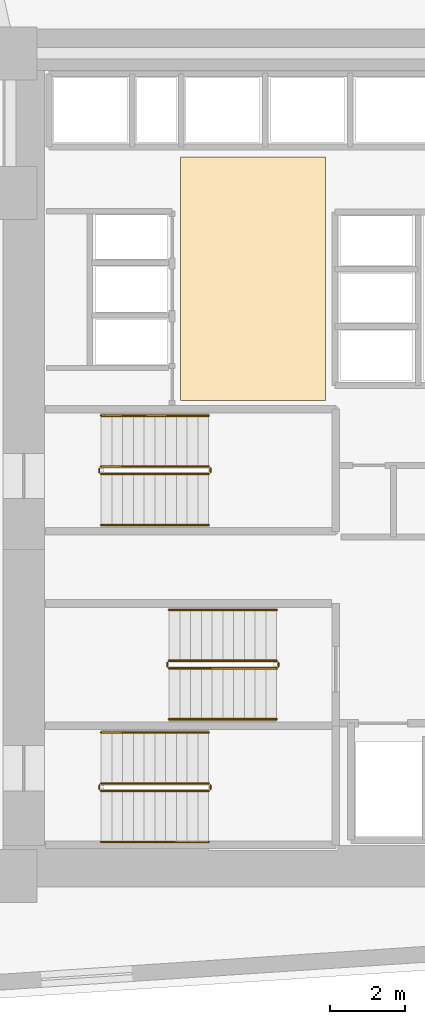
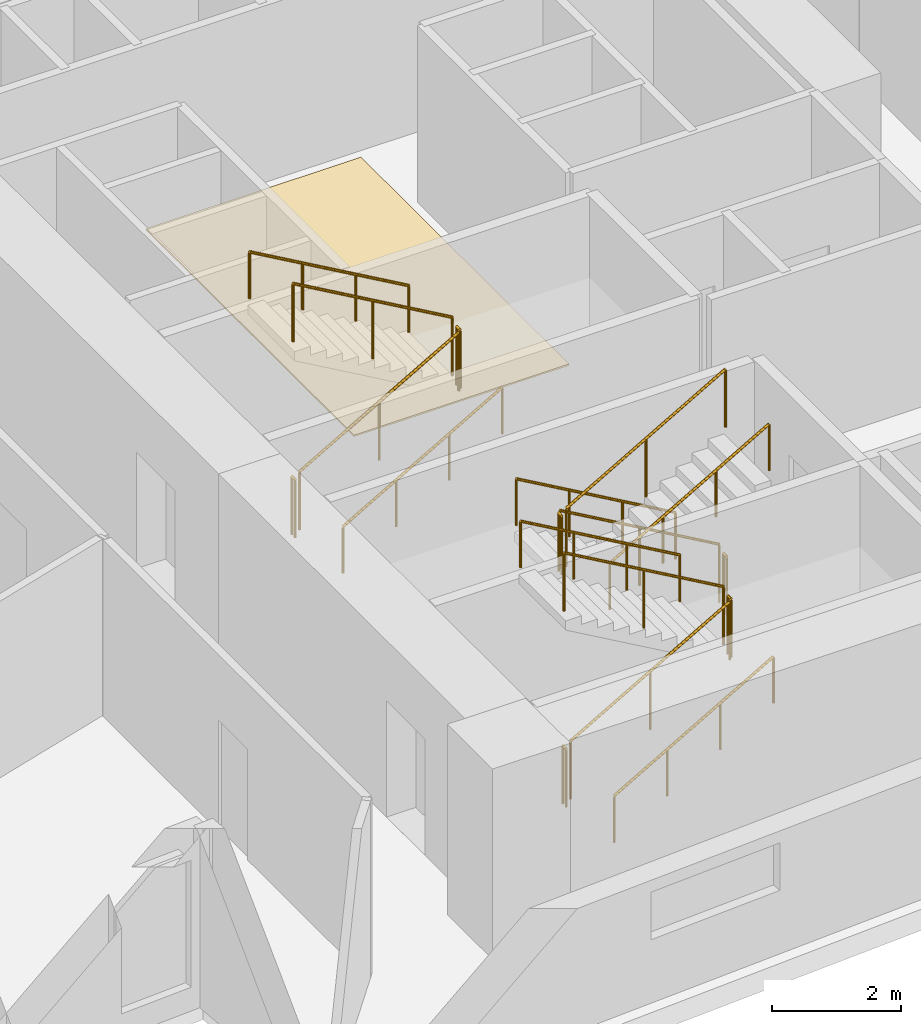
# One storey, part 16 of 17: 18 railings, 1 covering.
"""IFC4 building model written with IfcOpenShell, lengths in metres."""

from ifc_helpers import new_model, si_unit, direction, frame, origin, origin_2d, place, context, subcontext, project, spatial, polyline, circle, outline, extrude, material, layer, layer_set, type_object, element, save


model = new_model("IFC4")

# Units and contexts
model_context = context("Model", 3, precision=1e-05, world=origin(), true_north=direction((0.0, 1.0)))
body_context = subcontext(model_context, "Body", "Model", "MODEL_VIEW")
ifc_project = project(units=[si_unit("LENGTHUNIT", "METRE"), si_unit("AREAUNIT", "SQUARE_METRE"), si_unit("VOLUMEUNIT", "CUBIC_METRE"), si_unit("PLANEANGLEUNIT", "RADIAN"), si_unit("MASSUNIT", "GRAM", prefix="KILO")], contexts=[model_context])

# Site, building, storey
site_placement = place(None, origin())
site = spatial("IfcSite", under=ifc_project, at=site_placement, CompositionType="ELEMENT")
building_placement = place(site_placement, origin())
building = spatial("IfcBuilding", under=site, at=building_placement, Name="Narakoshi Arena Tower", CompositionType="ELEMENT")
storey_placement = place(building_placement, frame((0.0, 0.0, 63.300048828125)))
storey = spatial("IfcBuildingStorey", under=building, at=storey_placement, Name="L16", CompositionType="ELEMENT", Elevation=63.300048828125)

# Covering
ifc_material_1 = material(Name="Honed granite stone paving", Category="masonry")
ifc_layer = layer(ifc_material_1, 0.030029296875)
ifc_layer_set = layer_set([ifc_layer], Name="Honed granite stone paving")
covering_type = type_object("IfcCoveringType", Name="COV-FLR-ST30", PredefinedType="FLOORING", material=ifc_layer_set)
covering_placement = place(storey_placement, origin())
element("IfcCovering", 1, at=covering_placement, inside=storey, type_object=covering_type, Name="L16 Lift Lobby Granite Flooring", PredefinedType="FLOORING", context=body_context, shape_type="SweptSolid", body=[
    extrude(outline(polyline([(76.5, 47.300048828125), (80.35009765625, 47.300048828125), (80.35009765625, 53.75), (76.5, 53.75), (76.5, 47.300048828125)])), origin(), (0.0, 0.0, 1.0), 0.030029296875),
])

# Railings
ifc_material_2 = material(Name="Clear low-iron laminated structural glass", Category="glass")
railing_type_1 = type_object("IfcRailingType", Name="RL-BAL-1100", PredefinedType="BALUSTRADE", material=ifc_material_2)
railing_1_placement = place(storey_placement, frame((74.39990234375, 36.949951171875, 0.16357421875)))
element("IfcRailing", 2, at=railing_1_placement, inside=storey, type_object=railing_type_1, Name="L16 ST1 stair guard 1", PredefinedType="BALUSTRADE", context=body_context, shape_type="SweptSolid", body=[
    extrude(circle(Radius=0.02392578125, at=origin_2d()), frame((0.0, 0.0, 1.09619140625), z_axis=(0.86721270334, 0.0, 0.497937874806), x_axis=(0.0, 1.0, 0.0)), (0.0, 0.0, 1.0), 3.28662109375),
    extrude(circle(Radius=0.02099609375, at=origin_2d()), origin(), (0.0, 0.0, 1.0), 1.072021484375),
    extrude(circle(Radius=0.02099609375, at=origin_2d()), frame((1.425048828125, 0.0, 0.818359375)), (0.0, 0.0, 1.0), 1.072021484375),
    extrude(circle(Radius=0.02099609375, at=origin_2d()), frame((2.85009765625, 0.0, 1.636474609375)), (0.0, 0.0, 1.0), 1.072021484375),
])
railing_2_placement = place(storey_placement, frame((77.300048828125, 37.0, 1.800048828125)))
element("IfcRailing", 3, at=railing_2_placement, inside=storey, type_object=railing_type_1, Name="L16 ST1 stair guard 2", PredefinedType="BALUSTRADE", context=body_context, shape_type="SweptSolid", body=[
    extrude(circle(Radius=0.02392578125, at=origin_2d()), frame((0.0, 0.0, 1.09619140625), z_axis=(0.0, 1.0, 0.0), x_axis=(-1.0, 0.0, 0.0)), (0.0, 0.0, 1.0), 0.10009765625),
    extrude(circle(Radius=0.02099609375, at=origin_2d()), origin(), (0.0, 0.0, 1.0), 1.072021484375),
    extrude(circle(Radius=0.02099609375, at=origin_2d()), frame((0.0, 0.10009765625, 0.0)), (0.0, 0.0, 1.0), 1.072021484375),
])
railing_3_placement = place(storey_placement, frame((77.25, 37.14990234375, 1.963623046875)))
element("IfcRailing", 4, at=railing_3_placement, inside=storey, type_object=railing_type_1, Name="L16 ST1 stair guard 3", PredefinedType="BALUSTRADE", context=body_context, shape_type="SweptSolid", body=[
    extrude(circle(Radius=0.02392578125, at=origin_2d()), frame((0.0, 0.0, 1.09619140625), z_axis=(-0.867244780686, 0.0, 0.497882004468), x_axis=(0.0, -1.0, 0.0)), (0.0, 0.0, 1.0), 3.286376953125),
    extrude(circle(Radius=0.02099609375, at=origin_2d()), origin(), (0.0, 0.0, 1.0), 1.072021484375),
    extrude(circle(Radius=0.02099609375, at=origin_2d()), frame((-1.425048828125, 0.0, 0.818115234375)), (0.0, 0.0, 1.0), 1.072021484375),
    extrude(circle(Radius=0.02099609375, at=origin_2d()), frame((-2.85009765625, 0.0, 1.63623046875)), (0.0, 0.0, 1.0), 1.072021484375),
])
railing_4_placement = place(storey_placement, frame((74.35009765625, 37.0, 0.0)))
element("IfcRailing", 5, at=railing_4_placement, inside=storey, type_object=railing_type_1, Name="L16 ST1 stair guard 4", PredefinedType="BALUSTRADE", context=body_context, shape_type="SweptSolid", body=[
    extrude(circle(Radius=0.02392578125, at=origin_2d()), frame((0.0, 0.0, 1.09619140625), z_axis=(0.0, 1.0, 0.0), x_axis=(-1.0, 0.0, 0.0)), (0.0, 0.0, 1.0), 0.10009765625),
    extrude(circle(Radius=0.02099609375, at=origin_2d()), origin(), (0.0, 0.0, 1.0), 1.072021484375),
    extrude(circle(Radius=0.02099609375, at=origin_2d()), frame((0.0, 0.10009765625, 0.0)), (0.0, 0.0, 1.0), 1.072021484375),
])
railing_5_placement = place(storey_placement, frame((79.050048828125, 40.39990234375, 0.16357421875)))
element("IfcRailing", 6, at=railing_5_placement, inside=storey, type_object=railing_type_1, Name="L16 ST2 stair guard 1", PredefinedType="BALUSTRADE", context=body_context, shape_type="SweptSolid", body=[
    extrude(circle(Radius=0.02392578125, at=origin_2d()), frame((0.0, 0.0, 1.09619140625), z_axis=(-0.86721270334, 0.0, 0.497937874806), x_axis=(0.0, -1.0, 0.0)), (0.0, 0.0, 1.0), 3.28662109375),
    extrude(circle(Radius=0.02099609375, at=origin_2d()), origin(), (0.0, 0.0, 1.0), 1.072021484375),
    extrude(circle(Radius=0.02099609375, at=origin_2d()), frame((-1.425048828125, 0.0, 0.818359375)), (0.0, 0.0, 1.0), 1.072021484375),
    extrude(circle(Radius=0.02099609375, at=origin_2d()), frame((-2.85009765625, 0.0, 1.636474609375)), (0.0, 0.0, 1.0), 1.072021484375),
])
railing_6_placement = place(storey_placement, frame((76.14990234375, 40.35009765625, 1.800048828125)))
element("IfcRailing", 7, at=railing_6_placement, inside=storey, type_object=railing_type_1, Name="L16 ST2 stair guard 2", PredefinedType="BALUSTRADE", context=body_context, shape_type="SweptSolid", body=[
    extrude(circle(Radius=0.02392578125, at=origin_2d()), frame((0.0, 0.0, 1.09619140625), z_axis=(0.0, -1.0, 0.0), x_axis=(1.0, 0.0, 0.0)), (0.0, 0.0, 1.0), 0.10009765625),
    extrude(circle(Radius=0.02099609375, at=origin_2d()), origin(), (0.0, 0.0, 1.0), 1.072021484375),
    extrude(circle(Radius=0.02099609375, at=origin_2d()), frame((0.0, -0.10009765625, 0.0)), (0.0, 0.0, 1.0), 1.072021484375),
])
railing_7_placement = place(storey_placement, frame((76.199951171875, 40.199951171875, 1.963623046875)))
element("IfcRailing", 8, at=railing_7_placement, inside=storey, type_object=railing_type_1, Name="L16 ST2 stair guard 3", PredefinedType="BALUSTRADE", context=body_context, shape_type="SweptSolid", body=[
    extrude(circle(Radius=0.02392578125, at=origin_2d()), frame((0.0, 0.0, 1.09619140625), z_axis=(0.867244780686, 0.0, 0.497882004468), x_axis=(0.0, 1.0, 0.0)), (0.0, 0.0, 1.0), 3.286376953125),
    extrude(circle(Radius=0.02099609375, at=origin_2d()), origin(), (0.0, 0.0, 1.0), 1.072021484375),
    extrude(circle(Radius=0.02099609375, at=origin_2d()), frame((1.425048828125, 0.0, 0.818115234375)), (0.0, 0.0, 1.0), 1.072021484375),
    extrude(circle(Radius=0.02099609375, at=origin_2d()), frame((2.85009765625, 0.0, 1.63623046875)), (0.0, 0.0, 1.0), 1.072021484375),
])
railing_8_placement = place(storey_placement, frame((79.10009765625, 40.35009765625, 0.0)))
element("IfcRailing", 9, at=railing_8_placement, inside=storey, type_object=railing_type_1, Name="L16 ST2 stair guard 4", PredefinedType="BALUSTRADE", context=body_context, shape_type="SweptSolid", body=[
    extrude(circle(Radius=0.02392578125, at=origin_2d()), frame((0.0, 0.0, 1.09619140625), z_axis=(0.0, -1.0, 0.0), x_axis=(1.0, 0.0, 0.0)), (0.0, 0.0, 1.0), 0.10009765625),
    extrude(circle(Radius=0.02099609375, at=origin_2d()), origin(), (0.0, 0.0, 1.0), 1.072021484375),
    extrude(circle(Radius=0.02099609375, at=origin_2d()), frame((0.0, -0.10009765625, 0.0)), (0.0, 0.0, 1.0), 1.072021484375),
])
railing_9_placement = place(storey_placement, frame((74.39990234375, 45.35009765625, 0.16357421875)))
element("IfcRailing", 10, at=railing_9_placement, inside=storey, type_object=railing_type_1, Name="L16 ST3 stair guard 1", PredefinedType="BALUSTRADE", context=body_context, shape_type="SweptSolid", body=[
    extrude(circle(Radius=0.02392578125, at=origin_2d()), frame((0.0, 0.0, 1.09619140625), z_axis=(0.86721270334, 0.0, 0.497937874806), x_axis=(0.0, 1.0, 0.0)), (0.0, 0.0, 1.0), 3.28662109375),
    extrude(circle(Radius=0.02099609375, at=origin_2d()), origin(), (0.0, 0.0, 1.0), 1.072021484375),
    extrude(circle(Radius=0.02099609375, at=origin_2d()), frame((1.425048828125, 0.0, 0.818359375)), (0.0, 0.0, 1.0), 1.072021484375),
    extrude(circle(Radius=0.02099609375, at=origin_2d()), frame((2.85009765625, 0.0, 1.636474609375)), (0.0, 0.0, 1.0), 1.072021484375),
])
railing_10_placement = place(storey_placement, frame((77.300048828125, 45.39990234375, 1.800048828125)))
element("IfcRailing", 11, at=railing_10_placement, inside=storey, type_object=railing_type_1, Name="L16 ST3 stair guard 2", PredefinedType="BALUSTRADE", context=body_context, shape_type="SweptSolid", body=[
    extrude(circle(Radius=0.02392578125, at=origin_2d()), frame((0.0, 0.0, 1.09619140625), z_axis=(0.0, 1.0, 0.0), x_axis=(-1.0, 0.0, 0.0)), (0.0, 0.0, 1.0), 0.10009765625),
    extrude(circle(Radius=0.02099609375, at=origin_2d()), origin(), (0.0, 0.0, 1.0), 1.072021484375),
    extrude(circle(Radius=0.02099609375, at=origin_2d()), frame((0.0, 0.10009765625, 0.0)), (0.0, 0.0, 1.0), 1.072021484375),
])
railing_11_placement = place(storey_placement, frame((77.25, 45.550048828125, 1.963623046875)))
element("IfcRailing", 12, at=railing_11_placement, inside=storey, type_object=railing_type_1, Name="L16 ST3 stair guard 3", PredefinedType="BALUSTRADE", context=body_context, shape_type="SweptSolid", body=[
    extrude(circle(Radius=0.02392578125, at=origin_2d()), frame((0.0, 0.0, 1.09619140625), z_axis=(-0.867244780686, 0.0, 0.497882004468), x_axis=(0.0, -1.0, 0.0)), (0.0, 0.0, 1.0), 3.286376953125),
    extrude(circle(Radius=0.02099609375, at=origin_2d()), origin(), (0.0, 0.0, 1.0), 1.072021484375),
    extrude(circle(Radius=0.02099609375, at=origin_2d()), frame((-1.425048828125, 0.0, 0.818115234375)), (0.0, 0.0, 1.0), 1.072021484375),
    extrude(circle(Radius=0.02099609375, at=origin_2d()), frame((-2.85009765625, 0.0, 1.63623046875)), (0.0, 0.0, 1.0), 1.072021484375),
])
railing_12_placement = place(storey_placement, frame((74.35009765625, 45.39990234375, 0.0)))
element("IfcRailing", 13, at=railing_12_placement, inside=storey, type_object=railing_type_1, Name="L16 ST3 stair guard 4", PredefinedType="BALUSTRADE", context=body_context, shape_type="SweptSolid", body=[
    extrude(circle(Radius=0.02392578125, at=origin_2d()), frame((0.0, 0.0, 1.09619140625), z_axis=(0.0, 1.0, 0.0), x_axis=(-1.0, 0.0, 0.0)), (0.0, 0.0, 1.0), 0.10009765625),
    extrude(circle(Radius=0.02099609375, at=origin_2d()), origin(), (0.0, 0.0, 1.0), 1.072021484375),
    extrude(circle(Radius=0.02099609375, at=origin_2d()), frame((0.0, 0.10009765625, 0.0)), (0.0, 0.0, 1.0), 1.072021484375),
])
ifc_material_3 = material(Name="Brushed bronze stainless steel", Category="steel")
railing_type_2 = type_object("IfcRailingType", Name="RL-HND-900", PredefinedType="HANDRAIL", material=ifc_material_3)
railing_13_placement = place(storey_placement, frame((74.39990234375, 35.60009765625, 0.16357421875)))
element("IfcRailing", 14, at=railing_13_placement, inside=storey, type_object=railing_type_2, Name="L16 ST1 stair handrail 1", PredefinedType="HANDRAIL", context=body_context, shape_type="SweptSolid", body=[
    extrude(circle(Radius=0.02392578125, at=origin_2d()), frame((0.0, 0.0, 0.8759765625), z_axis=(0.86721270334, 0.0, 0.497937874806), x_axis=(0.0, 1.0, 0.0)), (0.0, 0.0, 1.0), 3.28662109375),
    extrude(circle(Radius=0.02099609375, at=origin_2d()), origin(), (0.0, 0.0, 1.0), 0.851806640625),
    extrude(circle(Radius=0.02099609375, at=origin_2d()), frame((0.949951171875, 0.0, 0.54541015625)), (0.0, 0.0, 1.0), 0.851806640625),
    extrude(circle(Radius=0.02099609375, at=origin_2d()), frame((1.900146484375, 0.0, 1.091064453125)), (0.0, 0.0, 1.0), 0.851806640625),
    extrude(circle(Radius=0.02099609375, at=origin_2d()), frame((2.85009765625, 0.0, 1.636474609375)), (0.0, 0.0, 1.0), 0.851806640625),
])
railing_14_placement = place(storey_placement, frame((77.25, 38.5, 1.963623046875)))
element("IfcRailing", 15, at=railing_14_placement, inside=storey, type_object=railing_type_2, Name="L16 ST1 stair handrail 2", PredefinedType="HANDRAIL", context=body_context, shape_type="SweptSolid", body=[
    extrude(circle(Radius=0.02392578125, at=origin_2d()), frame((0.0, 0.0, 0.8759765625), z_axis=(-0.867244780686, 0.0, 0.497882004468), x_axis=(0.0, -1.0, 0.0)), (0.0, 0.0, 1.0), 3.286376953125),
    extrude(circle(Radius=0.02099609375, at=origin_2d()), origin(), (0.0, 0.0, 1.0), 0.851806640625),
    extrude(circle(Radius=0.02099609375, at=origin_2d()), frame((-0.949951171875, 0.0, 0.54541015625)), (0.0, 0.0, 1.0), 0.851806640625),
    extrude(circle(Radius=0.02099609375, at=origin_2d()), frame((-1.900146484375, 0.0, 1.0908203125)), (0.0, 0.0, 1.0), 0.851806640625),
    extrude(circle(Radius=0.02099609375, at=origin_2d()), frame((-2.85009765625, 0.0, 1.63623046875)), (0.0, 0.0, 1.0), 0.851806640625),
])
railing_15_placement = place(storey_placement, frame((79.050048828125, 41.75, 0.16357421875)))
element("IfcRailing", 16, at=railing_15_placement, inside=storey, type_object=railing_type_2, Name="L16 ST2 stair handrail 1", PredefinedType="HANDRAIL", context=body_context, shape_type="SweptSolid", body=[
    extrude(circle(Radius=0.02392578125, at=origin_2d()), frame((0.0, 0.0, 0.8759765625), z_axis=(-0.86721270334, 0.0, 0.497937874806), x_axis=(0.0, -1.0, 0.0)), (0.0, 0.0, 1.0), 3.28662109375),
    extrude(circle(Radius=0.02099609375, at=origin_2d()), origin(), (0.0, 0.0, 1.0), 0.851806640625),
    extrude(circle(Radius=0.02099609375, at=origin_2d()), frame((-0.949951171875, 0.0, 0.54541015625)), (0.0, 0.0, 1.0), 0.851806640625),
    extrude(circle(Radius=0.02099609375, at=origin_2d()), frame((-1.900146484375, 0.0, 1.091064453125)), (0.0, 0.0, 1.0), 0.851806640625),
    extrude(circle(Radius=0.02099609375, at=origin_2d()), frame((-2.85009765625, 0.0, 1.636474609375)), (0.0, 0.0, 1.0), 0.851806640625),
])
railing_16_placement = place(storey_placement, frame((76.199951171875, 38.85009765625, 1.963623046875)))
element("IfcRailing", 17, at=railing_16_placement, inside=storey, type_object=railing_type_2, Name="L16 ST2 stair handrail 2", PredefinedType="HANDRAIL", context=body_context, shape_type="SweptSolid", body=[
    extrude(circle(Radius=0.02392578125, at=origin_2d()), frame((0.0, 0.0, 0.8759765625), z_axis=(0.867244780686, 0.0, 0.497882004468), x_axis=(0.0, 1.0, 0.0)), (0.0, 0.0, 1.0), 3.286376953125),
    extrude(circle(Radius=0.02099609375, at=origin_2d()), origin(), (0.0, 0.0, 1.0), 0.851806640625),
    extrude(circle(Radius=0.02099609375, at=origin_2d()), frame((0.949951171875, 0.0, 0.54541015625)), (0.0, 0.0, 1.0), 0.851806640625),
    extrude(circle(Radius=0.02099609375, at=origin_2d()), frame((1.900146484375, 0.0, 1.0908203125)), (0.0, 0.0, 1.0), 0.851806640625),
    extrude(circle(Radius=0.02099609375, at=origin_2d()), frame((2.85009765625, 0.0, 1.63623046875)), (0.0, 0.0, 1.0), 0.851806640625),
])
railing_17_placement = place(storey_placement, frame((74.39990234375, 44.0, 0.16357421875)))
element("IfcRailing", 18, at=railing_17_placement, inside=storey, type_object=railing_type_2, Name="L16 ST3 stair handrail 1", PredefinedType="HANDRAIL", context=body_context, shape_type="SweptSolid", body=[
    extrude(circle(Radius=0.02392578125, at=origin_2d()), frame((0.0, 0.0, 0.8759765625), z_axis=(0.86721270334, 0.0, 0.497937874806), x_axis=(0.0, 1.0, 0.0)), (0.0, 0.0, 1.0), 3.28662109375),
    extrude(circle(Radius=0.02099609375, at=origin_2d()), origin(), (0.0, 0.0, 1.0), 0.851806640625),
    extrude(circle(Radius=0.02099609375, at=origin_2d()), frame((0.949951171875, 0.0, 0.54541015625)), (0.0, 0.0, 1.0), 0.851806640625),
    extrude(circle(Radius=0.02099609375, at=origin_2d()), frame((1.900146484375, 0.0, 1.091064453125)), (0.0, 0.0, 1.0), 0.851806640625),
    extrude(circle(Radius=0.02099609375, at=origin_2d()), frame((2.85009765625, 0.0, 1.636474609375)), (0.0, 0.0, 1.0), 0.851806640625),
])
railing_18_placement = place(storey_placement, frame((77.25, 46.89990234375, 1.963623046875)))
element("IfcRailing", 19, at=railing_18_placement, inside=storey, type_object=railing_type_2, Name="L16 ST3 stair handrail 2", PredefinedType="HANDRAIL", context=body_context, shape_type="SweptSolid", body=[
    extrude(circle(Radius=0.02392578125, at=origin_2d()), frame((0.0, 0.0, 0.8759765625), z_axis=(-0.867244780686, 0.0, 0.497882004468), x_axis=(0.0, -1.0, 0.0)), (0.0, 0.0, 1.0), 3.286376953125),
    extrude(circle(Radius=0.02099609375, at=origin_2d()), origin(), (0.0, 0.0, 1.0), 0.851806640625),
    extrude(circle(Radius=0.02099609375, at=origin_2d()), frame((-0.949951171875, 0.0, 0.54541015625)), (0.0, 0.0, 1.0), 0.851806640625),
    extrude(circle(Radius=0.02099609375, at=origin_2d()), frame((-1.900146484375, 0.0, 1.0908203125)), (0.0, 0.0, 1.0), 0.851806640625),
    extrude(circle(Radius=0.02099609375, at=origin_2d()), frame((-2.85009765625, 0.0, 1.63623046875)), (0.0, 0.0, 1.0), 0.851806640625),
])

save(model, "model.ifc")
